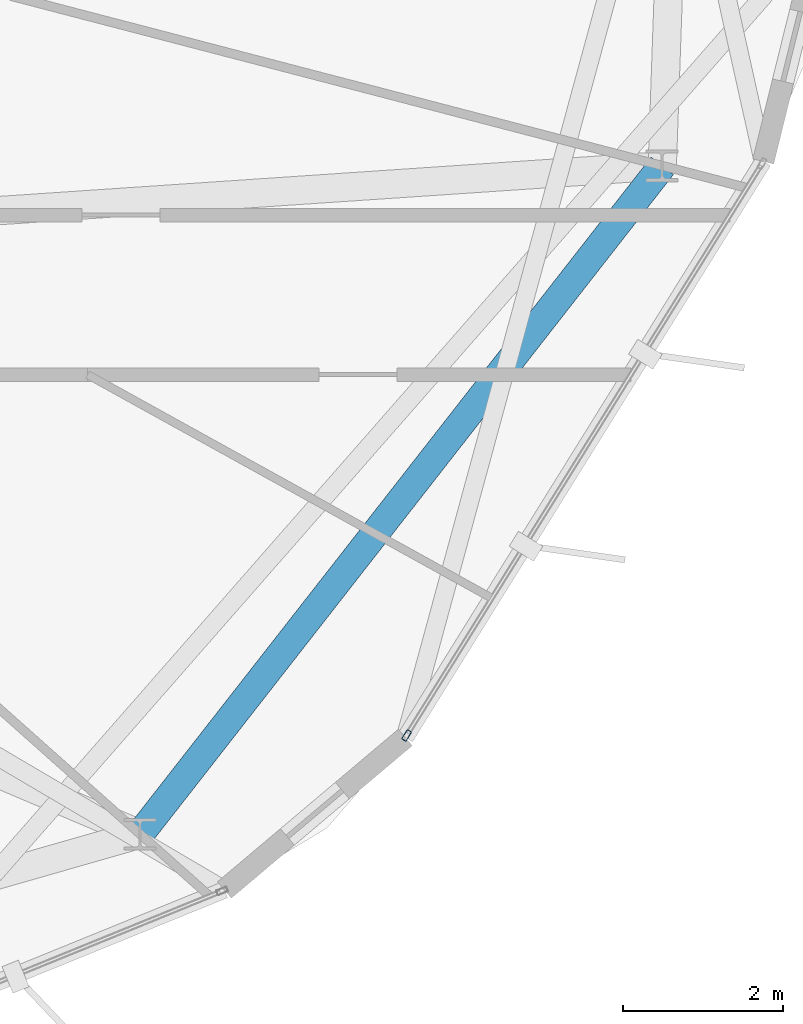
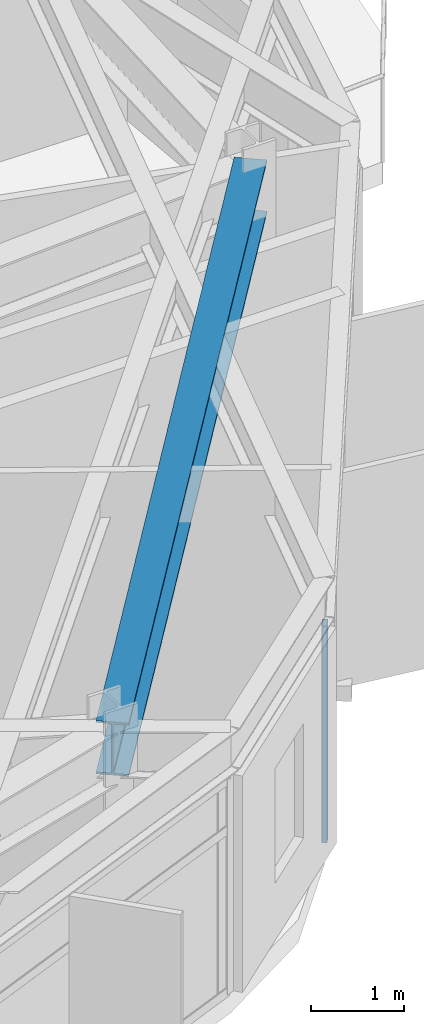
# One storey, part 12 of 26: 1 beam, 1 member, 1 element without a shape of its own.
"""IFC4 building model written with IfcOpenShell, lengths in metres."""

from ifc_helpers import new_model, si_unit, direction, frame, origin, origin_2d, place, context, subcontext, project, spatial, hollow_rectangle, i_section, extrude, material, layer, layer_set, material_profile, profile_set, type_object, element, aggregate, save


model = new_model("IFC4")

# Units and contexts
model_context = context("Model", 3, precision=1e-05, world=origin(), true_north=direction((0.0, 1.0)))
body_context = subcontext(model_context, "Body", "Model", "MODEL_VIEW")
ifc_project = project(units=[si_unit("LENGTHUNIT", "METRE"), si_unit("AREAUNIT", "SQUARE_METRE"), si_unit("VOLUMEUNIT", "CUBIC_METRE"), si_unit("PLANEANGLEUNIT", "RADIAN"), si_unit("MASSUNIT", "GRAM", prefix="KILO")], contexts=[model_context])

# Site, building, storey
site_placement = place(None, origin())
site = spatial("IfcSite", under=ifc_project, at=site_placement, CompositionType="ELEMENT")
building_placement = place(site_placement, origin())
building = spatial("IfcBuilding", under=site, at=building_placement, Name="Soratama Intermodal Tower", CompositionType="ELEMENT")
storey_placement = place(building_placement, frame((0.0, 0.0, 246.25)))
storey = spatial("IfcBuildingStorey", under=building, at=storey_placement, Name="L62", CompositionType="ELEMENT", Elevation=246.25)

# Beam
ifc_material_1 = material(Name="Structural steel ASTM A992 Grade 50", Category="steel")
ifc_material_profile_1 = material_profile(ifc_material_1, i_section(OverallWidth=0.35498046875, OverallDepth=0.695068359375, WebThickness=0.015380859375, FlangeThickness=0.02490234375, FilletRadius=0.01611328125, at=origin_2d()), Name="W27X146")
ifc_profile_set_1 = profile_set([ifc_material_profile_1], Name="Structural steel ASTM A992 Grade 50")
beam_type = type_object("IfcBeamType", Name="BM-RING-W27X146", PredefinedType="BEAM", material=ifc_profile_set_1)
beam_placement = place(storey_placement, frame((54.617919921875, 10.740966796875, 3.1025390625), z_axis=(0.6157278291, 0.787958907858, 0.0), x_axis=(-0.787958907858, 0.6157278291, 0.0)))
element("IfcBeam", 1, at=beam_placement, inside=storey, type_object=beam_type, Name="BM-L62-RING-09", PredefinedType="BEAM", context=body_context, shape_type="SweptSolid", body=[
    extrude(i_section(OverallWidth=0.35498046875, OverallDepth=0.695068359375, WebThickness=0.015380859375, FlangeThickness=0.02490234375, FilletRadius=0.01611328125, at=origin_2d()), origin(), (0.0, 0.0, 1.0), 10.6298828125),
])

# Curtain wall, member
ifc_material_2 = material(Name="Double-glazed aluminium curtain wall", Category="aluminium")
ifc_layer = layer(ifc_material_2, 0.159912109375)
ifc_layer_set = layer_set([ifc_layer], Name="Double-glazed aluminium curtain wall")
curtain_wall_type = type_object("IfcCurtainWallType", Name="CW-SYS-5", PredefinedType="NOTDEFINED", material=ifc_layer_set)
curtain_wall_placement = place(storey_placement, origin())
curtain_wall = element("IfcCurtainWall", 2, at=curtain_wall_placement, inside=storey, type_object=curtain_wall_type, Name="L62 Faceted Curtain Wall F08", PredefinedType="NOTDEFINED")
ifc_material_3 = material(Name="Anodised aluminium AA 6063-T6", Category="aluminium")
ifc_material_profile_2 = material_profile(ifc_material_3, hollow_rectangle(XDim=0.06494140625, YDim=0.139892578125, WallThickness=0.0048828125, InnerFilletRadius=0.0048828125, OuterFilletRadius=0.010009765625, at=origin_2d()), Name="CWM140X65X5")
ifc_profile_set_2 = profile_set([ifc_material_profile_2], Name="Anodised aluminium AA 6063-T6")
member_type = type_object("IfcMemberType", Name="MT-CWM-5", PredefinedType="MULLION", material=ifc_profile_set_2)
member_placement = place(storey_placement, frame((57.958740234375, 11.97802734375, 0.0), z_axis=(0.0, 0.0, 1.0), x_axis=(-0.849338641556, 0.527848341818, 0.0)))
member = element("IfcMember", 3, at=member_placement, type_object=member_type, Name="CW-5 mullion 1", PredefinedType="MULLION", context=body_context, shape_type="SweptSolid", body=[
    extrude(hollow_rectangle(XDim=0.06494140625, YDim=0.139892578125, WallThickness=0.0048828125, InnerFilletRadius=0.0048828125, OuterFilletRadius=0.010009765625, at=origin_2d()), origin(), (0.0, 0.0, 1.0), 2.8291015625),
])
aggregate(curtain_wall, [member])

save(model, "model.ifc")
